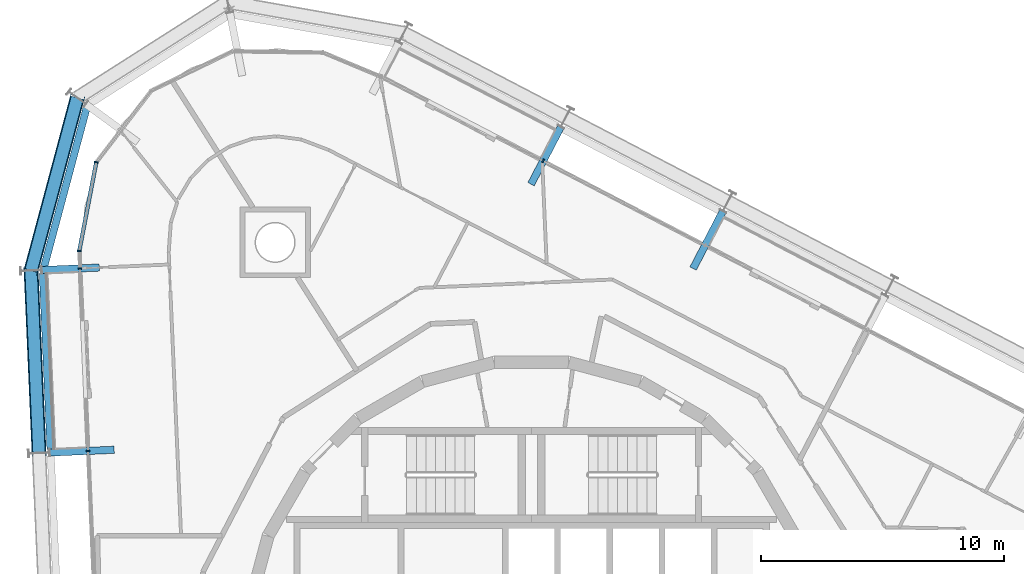
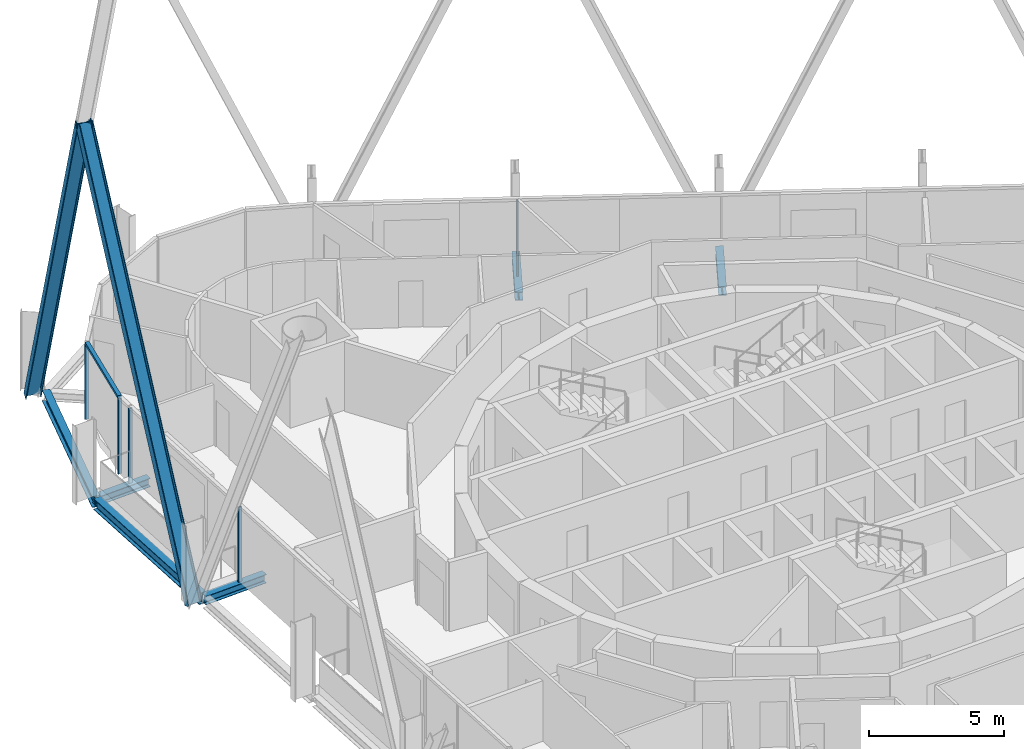
# One storey, part 6 of 18: 8 members, 6 beams, 3 elements without a shape of their own.
"""IFC4 building model written with IfcOpenShell, lengths in metres."""

from ifc_helpers import new_model, si_unit, direction, frame, origin, origin_2d, place, context, subcontext, project, spatial, rectangle, i_section, extrude, material, layer, layer_set, material_profile, profile_set, type_object, element, aggregate, save


model = new_model("IFC4")

# Units and contexts
model_context = context("Model", 3, precision=1e-05, world=origin(), true_north=direction((0.0, 1.0)))
body_context = subcontext(model_context, "Body", "Model", "MODEL_VIEW")
ifc_project = project(units=[si_unit("LENGTHUNIT", "METRE"), si_unit("AREAUNIT", "SQUARE_METRE"), si_unit("VOLUMEUNIT", "CUBIC_METRE"), si_unit("PLANEANGLEUNIT", "RADIAN"), si_unit("MASSUNIT", "GRAM", prefix="KILO")], contexts=[model_context])

# Site, building, storey
site_placement = place(None, origin())
site = spatial("IfcSite", under=ifc_project, at=site_placement, CompositionType="ELEMENT")
building_placement = place(site_placement, origin())
building = spatial("IfcBuilding", under=site, at=building_placement, Name="Spindle Arch Residences", CompositionType="ELEMENT")
storey_placement = place(building_placement, frame((0.0, 0.0, 240.699951171875)))
storey = spatial("IfcBuildingStorey", under=building, at=storey_placement, Name="L61", CompositionType="ELEMENT", Elevation=240.699951171875)

# Curtain wall, member
ifc_material_1 = material(Name="Aluminium bronze unitised frame with tinted glass", Category="aluminium")
ifc_layer_1 = layer(ifc_material_1, 0.159912109375)
ifc_layer_set_1 = layer_set([ifc_layer_1], Name="CW-C typical residential unitised wall")
curtain_wall_type_1 = type_object("IfcCurtainWallType", Name="CW-C typical residential unitised wall", PredefinedType="NOTDEFINED", material=ifc_layer_set_1)
curtain_wall_1_placement = place(storey_placement, origin())
curtain_wall_1 = element("IfcCurtainWall", 1, at=curtain_wall_1_placement, inside=storey, type_object=curtain_wall_type_1, Name="CW-C L61 run 2", PredefinedType="NOTDEFINED")
ifc_material_2 = material(Name="Aluminium bronze anodised mullion", Category="aluminium")
ifc_material_profile_1 = material_profile(ifc_material_2, rectangle(XDim=0.159912109375, YDim=0.06005859375, at=origin_2d()), Name="MU 60x160")
ifc_profile_set_1 = profile_set([ifc_material_profile_1], Name="Aluminium bronze anodised mullion")
member_type_1 = type_object("IfcMemberType", Name="Bronze mullion 60x160", PredefinedType="MULLION", material=ifc_profile_set_1)
member_1_placement = place(storey_placement, frame((0.4794921875, 19.94677734375, -0.3798828125), z_axis=(0.0, 0.0, 1.0), x_axis=(-0.461748613235, -0.887010833178, 0.0)))
member_1 = element("IfcMember", 2, at=member_1_placement, type_object=member_type_1, Name="CW-C mullion 08", PredefinedType="MULLION", context=body_context, shape_type="SweptSolid", body=[
    extrude(rectangle(XDim=0.159912109375, YDim=0.06005859375, at=origin_2d()), origin(), (0.0, 0.0, 1.0), 3.3798828125),
])
aggregate(curtain_wall_1, [member_1])

# Curtain wall, members
ifc_material_3 = material(Name="Aluminium bronze unitised frame with tinted glass", Category="aluminium")
ifc_layer_2 = layer(ifc_material_3, 0.159912109375)
ifc_layer_set_2 = layer_set([ifc_layer_2], Name="CW-D corner wall on the fillet arcs")
curtain_wall_type_2 = type_object("IfcCurtainWallType", Name="CW-D corner wall on the fillet arcs", PredefinedType="NOTDEFINED", material=ifc_layer_set_2)
curtain_wall_2_placement = place(storey_placement, origin())
curtain_wall_2 = element("IfcCurtainWall", 3, at=curtain_wall_2_placement, inside=storey, type_object=curtain_wall_type_2, Name="CW-D L61 run 3", PredefinedType="NOTDEFINED")
member_2_placement = place(storey_placement, frame((-17.93994140625, 19.896240234375, -0.3798828125), z_axis=(0.0, 0.0, 1.0), x_axis=(0.982178070104, -0.187952756314, 0.0)))
member_2 = element("IfcMember", 4, at=member_2_placement, type_object=member_type_1, Name="CW-D mullion 04", PredefinedType="MULLION", context=body_context, shape_type="SweptSolid", body=[
    extrude(rectangle(XDim=0.159912109375, YDim=0.06005859375, at=origin_2d()), origin(), (0.0, 0.0, 1.0), 3.3798828125),
])
member_3_placement = place(storey_placement, frame((-18.640380859375, 16.236083984375, -0.3798828125), z_axis=(0.0, 0.0, 1.0), x_axis=(0.999048221582, 0.043619387365, 0.0)))
member_3 = element("IfcMember", 5, at=member_3_placement, type_object=member_type_1, Name="CW-D mullion 05", PredefinedType="MULLION", context=body_context, shape_type="SweptSolid", body=[
    extrude(rectangle(XDim=0.159912109375, YDim=0.06005859375, at=origin_2d()), origin(), (0.0, 0.0, 1.0), 3.3798828125),
])

curtain_wall_3_placement = place(storey_placement, origin())
curtain_wall_3 = element("IfcCurtainWall", 6, at=curtain_wall_3_placement, inside=storey, type_object=curtain_wall_type_1, Name="CW-C L61 run 4", PredefinedType="NOTDEFINED")
member_4_placement = place(storey_placement, frame((-18.60888671875, 15.518310546875, -0.3798828125), z_axis=(0.0, 0.0, 1.0), x_axis=(0.999048221582, 0.043619387365, 0.0)))
member_4 = element("IfcMember", 7, at=member_4_placement, type_object=member_type_1, Name="CW-C mullion 12", PredefinedType="MULLION", context=body_context, shape_type="SweptSolid", body=[
    extrude(rectangle(XDim=0.159912109375, YDim=0.06005859375, at=origin_2d()), origin(), (0.0, 0.0, 1.0), 3.3798828125),
])
member_5_placement = place(storey_placement, frame((-18.280517578125, 7.995361328125, -0.3798828125), z_axis=(0.0, 0.0, 1.0), x_axis=(0.999048221582, 0.043619387365, 0.0)))
member_5 = element("IfcMember", 8, at=member_5_placement, type_object=member_type_1, Name="CW-C mullion 13", PredefinedType="MULLION", context=body_context, shape_type="SweptSolid", body=[
    extrude(rectangle(XDim=0.159912109375, YDim=0.06005859375, at=origin_2d()), origin(), (0.0, 0.0, 1.0), 3.3798828125),
])
aggregate(curtain_wall_3, [member_4, member_5])

# Member
ifc_material_4 = material(Name="Aluminium bronze anodised transom", Category="aluminium")
ifc_material_profile_2 = material_profile(ifc_material_4, rectangle(XDim=0.159912109375, YDim=0.1201171875, at=origin_2d()), Name="TR 120x160")
ifc_profile_set_2 = profile_set([ifc_material_profile_2], Name="Aluminium bronze anodised transom")
member_type_2 = type_object("IfcMemberType", Name="Bronze transom 120x160", PredefinedType="USERDEFINED", material=ifc_profile_set_2)
member_6_placement = place(storey_placement, frame((-17.945556640625, 19.866943359375, 3.06005859375), z_axis=(-0.187953386096, -0.982177949587, 0.0), x_axis=(0.982177949587, -0.187953386096, 0.0)))
member_6 = element("IfcMember", 9, at=member_6_placement, type_object=member_type_2, Name="CW-D transom 04", ObjectType="TRANSOM", PredefinedType="USERDEFINED", context=body_context, shape_type="SweptSolid", body=[
    extrude(rectangle(XDim=0.159912109375, YDim=0.1201171875, at=origin_2d()), origin(), (0.0, 0.0, 1.0), 3.6669921875),
])

aggregate(curtain_wall_2, [member_2, member_6, member_3])

# Members
ifc_material_5 = material(Name="Steel S460ML, intumescent coating R 240", Category="steel")
ifc_material_profile_3 = material_profile(ifc_material_5, i_section(OverallWidth=0.300048828125, OverallDepth=0.60009765625, WebThickness=0.015380859375, FlangeThickness=0.030029296875, FilletRadius=0.027099609375, at=origin_2d()), Name="HEB 600")
ifc_profile_set_3 = profile_set([ifc_material_profile_3], Name="Steel S460ML, intumescent coating R 240")
member_type_3 = type_object("IfcMemberType", Name="Diagrid diagonal HEB 600", PredefinedType="BRACE", material=ifc_profile_set_3)
member_7_placement = place(storey_placement, frame((-18.724365234375, 22.545166015625, -0.6298828125), z_axis=(-0.101322288385, -0.37890869375, 0.91987064073), x_axis=(0.237629267346, 0.888647470585, 0.392221881494)))
element("IfcMember", 10, at=member_7_placement, inside=storey, type_object=member_type_3, Name="Diagrid diagonal 6.2.12", PredefinedType="BRACE", context=body_context, shape_type="SweptSolid", body=[
    extrude(i_section(OverallWidth=0.300048828125, OverallDepth=0.60009765625, WebThickness=0.015380859375, FlangeThickness=0.030029296875, FilletRadius=0.027099609375, at=origin_2d()), origin(), (0.0, 0.0, 1.0), 18.777587890625),
])
member_8_placement = place(storey_placement, frame((-20.298583984375, 7.9072265625, -0.6298828125), z_axis=(-0.017426616458, 0.399244430893, 0.916678895492), x_axis=(0.039974046757, -0.915806897236, 0.399624577022)))
element("IfcMember", 11, at=member_8_placement, inside=storey, type_object=member_type_3, Name="Diagrid diagonal 6.2.13", PredefinedType="BRACE", context=body_context, shape_type="SweptSolid", body=[
    extrude(i_section(OverallWidth=0.300048828125, OverallDepth=0.60009765625, WebThickness=0.015380859375, FlangeThickness=0.030029296875, FilletRadius=0.027099609375, at=origin_2d()), origin(), (0.0, 0.0, 1.0), 18.843017578125),
])

# Beams
ifc_material_6 = material(Name="Steel S460ML, intumescent coating R 120", Category="steel")
ifc_material_profile_4 = material_profile(ifc_material_6, i_section(OverallWidth=0.300048828125, OverallDepth=0.5, WebThickness=0.014404296875, FlangeThickness=0.028076171875, FilletRadius=0.027099609375, at=origin_2d()), Name="HEB 500")
ifc_profile_set_4 = profile_set([ifc_material_profile_4], Name="Steel S460ML, intumescent coating R 120")
beam_type_1 = type_object("IfcBeamType", Name="Exoskeleton edge beam HEB 500", PredefinedType="BEAM", material=ifc_profile_set_4)
beam_1_placement = place(storey_placement, frame((-18.298583984375, 22.28076171875, -0.6298828125), z_axis=(-0.25832557076, -0.966057917255, 0.0), x_axis=(0.966057917255, -0.25832557076, 0.0)))
element("IfcBeam", 12, at=beam_1_placement, inside=storey, type_object=beam_type_1, Name="Exoskeleton edge beam 12", PredefinedType="BEAM", context=body_context, shape_type="SweptSolid", body=[
    extrude(i_section(OverallWidth=0.300048828125, OverallDepth=0.5, WebThickness=0.014404296875, FlangeThickness=0.028076171875, FilletRadius=0.027099609375, at=origin_2d()), origin(), (0.0, 0.0, 1.0), 7.105224609375),
])
beam_2_placement = place(storey_placement, frame((-20.141845703125, 15.3212890625, -0.6298828125), z_axis=(0.043622301665, -0.999048094337, 0.0), x_axis=(0.999048094337, 0.043622301665, 0.0)))
element("IfcBeam", 13, at=beam_2_placement, inside=storey, type_object=beam_type_1, Name="Exoskeleton edge beam 13", PredefinedType="BEAM", context=body_context, shape_type="SweptSolid", body=[
    extrude(i_section(OverallWidth=0.300048828125, OverallDepth=0.5, WebThickness=0.014404296875, FlangeThickness=0.028076171875, FilletRadius=0.027099609375, at=origin_2d()), origin(), (0.0, 0.0, 1.0), 7.27001953125),
])
ifc_material_7 = material(Name="Steel S460ML, intumescent coating R 120", Category="steel")
ifc_material_profile_5 = material_profile(ifc_material_7, i_section(OverallWidth=0.300048828125, OverallDepth=0.389892578125, WebThickness=0.010986328125, FlangeThickness=0.01904296875, FilletRadius=0.027099609375, at=origin_2d()), Name="HEA 400")
ifc_profile_set_5 = profile_set([ifc_material_profile_5], Name="Steel S460ML, intumescent coating R 120")
beam_type_2 = type_object("IfcBeamType", Name="Floor outrigger HEA 400", PredefinedType="BEAM", material=ifc_profile_set_5)
for number, where, z_axis, x_axis, name in (
    (14, (7.883544921875, 17.8623046875, -0.574951171875), (-0.461747195222, -0.887011571348, 0.0), (0.887011571348, -0.461747195222, 0.0), "Floor outrigger 8"),
    (15, (1.204345703125, 21.33935546875, -0.574951171875), (-0.461747195222, -0.887011571348, 0.0), (0.887011571348, -0.461747195222, 0.0), "Floor outrigger 9"),
):
    element("IfcBeam", number, at=place(storey_placement, frame(where, z_axis=z_axis, x_axis=x_axis)), inside=storey, type_object=beam_type_2, Name=name, PredefinedType="BEAM", context=body_context, shape_type="SweptSolid", body=[
        extrude(i_section(OverallWidth=0.300048828125, OverallDepth=0.389892578125, WebThickness=0.010986328125, FlangeThickness=0.01904296875, FilletRadius=0.027099609375, at=origin_2d()), origin(), (0.0, 0.0, 1.0), 2.64990234375),
    ])
beam_3_placement = place(storey_placement, frame((-20.177490234375, 15.44970703125, -0.574951171875), z_axis=(0.999047575201, 0.043634189397, 0.0), x_axis=(-0.043634189397, 0.999047575201, 0.0)))
element("IfcBeam", 16, at=beam_3_placement, inside=storey, type_object=beam_type_2, Name="Floor outrigger 13", PredefinedType="BEAM", context=body_context, shape_type="SweptSolid", body=[
    extrude(i_section(OverallWidth=0.300048828125, OverallDepth=0.389892578125, WebThickness=0.010986328125, FlangeThickness=0.01904296875, FilletRadius=0.027099609375, at=origin_2d()), origin(), (0.0, 0.0, 1.0), 2.36669921875),
])
beam_4_placement = place(storey_placement, frame((-19.84912109375, 7.9267578125, -0.574951171875), z_axis=(0.999046049411, 0.043669109869, 0.0), x_axis=(-0.043669109869, 0.999046049411, 0.0)))
element("IfcBeam", 17, at=beam_4_placement, inside=storey, type_object=beam_type_2, Name="Floor outrigger 14", PredefinedType="BEAM", context=body_context, shape_type="SweptSolid", body=[
    extrude(i_section(OverallWidth=0.300048828125, OverallDepth=0.389892578125, WebThickness=0.010986328125, FlangeThickness=0.01904296875, FilletRadius=0.027099609375, at=origin_2d()), origin(), (0.0, 0.0, 1.0), 2.64990234375),
])

save(model, "model.ifc")
